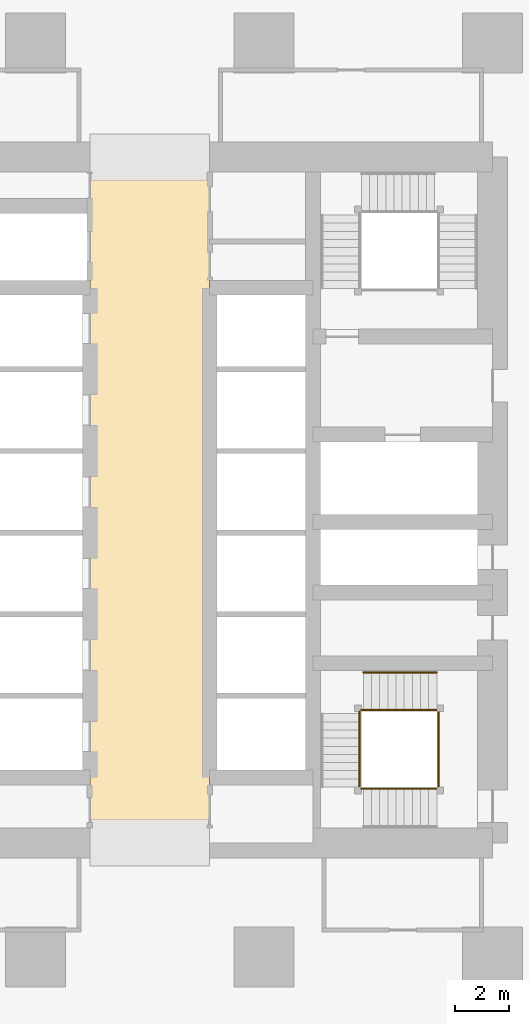
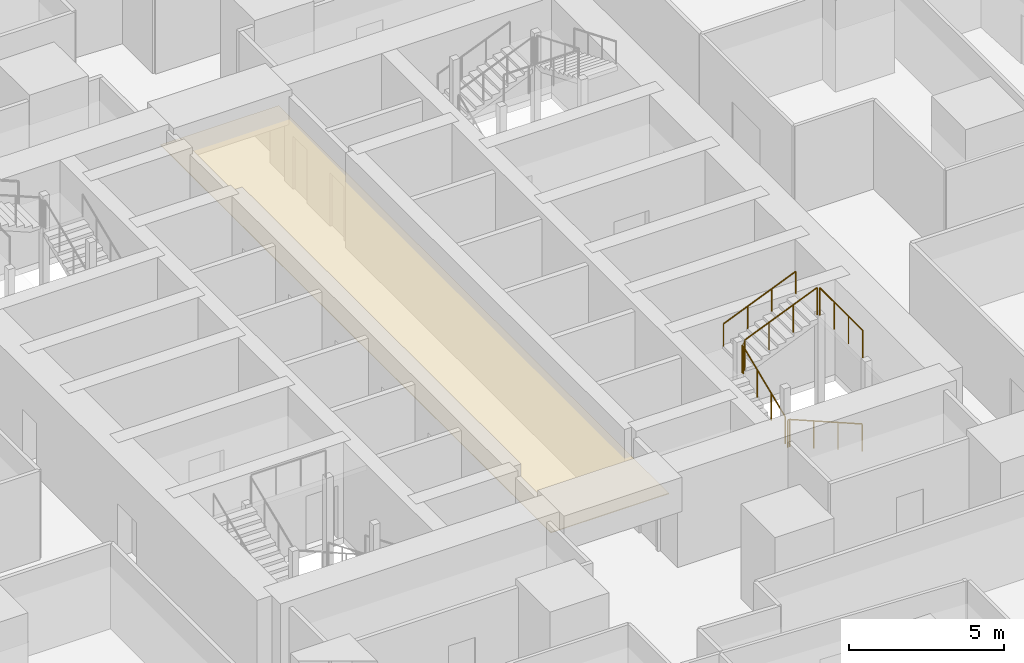
# One storey, part 39 of 44: 8 railings, 1 covering.
"""IFC4 building model written with IfcOpenShell, lengths in metres."""

from ifc_helpers import new_model, si_unit, direction, frame, origin, origin_2d, place, context, subcontext, project, spatial, polyline, circle, outline, extrude, material, layer, layer_set, type_object, element, save


model = new_model("IFC4")

# Units and contexts
model_context = context("Model", 3, precision=1e-05, world=origin(), true_north=direction((0.0, 1.0)))
body_context = subcontext(model_context, "Body", "Model", "MODEL_VIEW")
ifc_project = project(units=[si_unit("LENGTHUNIT", "METRE"), si_unit("AREAUNIT", "SQUARE_METRE"), si_unit("VOLUMEUNIT", "CUBIC_METRE"), si_unit("PLANEANGLEUNIT", "RADIAN"), si_unit("MASSUNIT", "GRAM", prefix="KILO")], contexts=[model_context])

# Site, building, storey
site_placement = place(None, origin())
site = spatial("IfcSite", under=ifc_project, at=site_placement, CompositionType="ELEMENT")
building_placement = place(site_placement, origin())
building = spatial("IfcBuilding", under=site, at=building_placement, Name="Rekha Terrace Tower", CompositionType="ELEMENT")
storey_placement = place(building_placement, frame((0.0, 0.0, 62.89990234375)))
storey = spatial("IfcBuildingStorey", under=building, at=storey_placement, Name="L15", CompositionType="ELEMENT", Elevation=62.89990234375)

# Covering
ifc_material_1 = material(Name="Powder-coated aluminium pan", Category="aluminium")
ifc_layer = layer(ifc_material_1, 0.030029296875)
ifc_layer_set = layer_set([ifc_layer], Name="Powder-coated aluminium pan")
covering_type = type_object("IfcCoveringType", Name="CL3 300x1200 metal pan ceiling", PredefinedType="CEILING", material=ifc_layer_set)
covering_placement = place(storey_placement, frame((0.0, 0.0, 2.570068359375)))
element("IfcCovering", 1, at=covering_placement, inside=storey, type_object=covering_type, Name="Ceiling L15-LOBBY", PredefinedType="CEILING", context=body_context, shape_type="SweptSolid", body=[
    extrude(outline(polyline([(40.0, 46.199951171875), (35.60009765625, 46.199951171875), (35.60009765625, 21.0), (40.0, 21.0), (40.0, 46.199951171875)])), origin(), (0.0, 0.0, 1.0), 0.030029296875),
])

# Railings
ifc_material_2 = material(Name="Stainless steel balustrade", Category="steel")
railing_type_1 = type_object("IfcRailingType", Name="GR1 1100 stair guard", PredefinedType="GUARDRAIL", material=ifc_material_2)
railing_1_placement = place(storey_placement, frame((48.35009765625, 22.989990234375, 0.125)))
element("IfcRailing", 2, at=railing_1_placement, inside=storey, type_object=railing_type_1, Name="Guard ST3 L15 flight 1", PredefinedType="GUARDRAIL", context=body_context, shape_type="SweptSolid", body=[
    extrude(circle(Radius=0.02392578125, at=origin_2d()), frame((0.0, 0.0, 1.076171875), z_axis=(-0.923086799901, 0.0, 0.38459167938), x_axis=(0.0, -1.0, 0.0)), (0.0, 0.0, 1.0), 2.92529296875),
    extrude(circle(Radius=0.02099609375, at=origin_2d()), origin(), (0.0, 0.0, 1.0), 1.052001953125),
    extrude(circle(Radius=0.02099609375, at=origin_2d()), frame((-0.900146484375, 0.0, 0.375)), (0.0, 0.0, 1.0), 1.052001953125),
    extrude(circle(Radius=0.02099609375, at=origin_2d()), frame((-1.800048828125, 0.0, 0.75)), (0.0, 0.0, 1.0), 1.052001953125),
    extrude(circle(Radius=0.02099609375, at=origin_2d()), frame((-2.7001953125, 0.0, 1.125)), (0.0, 0.0, 1.0), 1.052001953125),
])
railing_2_placement = place(storey_placement, frame((45.514892578125, 23.050048828125, 1.375)))
element("IfcRailing", 3, at=railing_2_placement, inside=storey, type_object=railing_type_1, Name="Guard ST3 L15 flight 2", PredefinedType="GUARDRAIL", context=body_context, shape_type="SweptSolid", body=[
    extrude(circle(Radius=0.02392578125, at=origin_2d()), frame((0.0, 0.0, 1.076171875), z_axis=(0.0, 0.923074453586, 0.384621311341), x_axis=(-1.0, 0.0, 0.0)), (0.0, 0.0, 1.0), 2.925048828125),
    extrude(circle(Radius=0.02099609375, at=origin_2d()), origin(), (0.0, 0.0, 1.0), 1.052001953125),
    extrude(circle(Radius=0.02099609375, at=origin_2d()), frame((0.0, 0.89990234375, 0.375)), (0.0, 0.0, 1.0), 1.052001953125),
    extrude(circle(Radius=0.02099609375, at=origin_2d()), frame((0.0, 1.800048828125, 0.75)), (0.0, 0.0, 1.0), 1.052001953125),
    extrude(circle(Radius=0.02099609375, at=origin_2d()), frame((0.0, 2.699951171875, 1.125)), (0.0, 0.0, 1.0), 1.052001953125),
])
railing_3_placement = place(storey_placement, frame((45.64990234375, 25.885009765625, 2.625)))
element("IfcRailing", 4, at=railing_3_placement, inside=storey, type_object=railing_type_1, Name="Guard ST3 L15 flight 3", PredefinedType="GUARDRAIL", context=body_context, shape_type="SweptSolid", body=[
    extrude(circle(Radius=0.02392578125, at=origin_2d()), frame((0.0, 0.0, 1.076171875), z_axis=(0.923086799901, 0.0, 0.38459167938), x_axis=(0.0, 1.0, 0.0)), (0.0, 0.0, 1.0), 2.92529296875),
    extrude(circle(Radius=0.02099609375, at=origin_2d()), origin(), (0.0, 0.0, 1.0), 1.052001953125),
    extrude(circle(Radius=0.02099609375, at=origin_2d()), frame((0.900146484375, 0.0, 0.375)), (0.0, 0.0, 1.0), 1.052001953125),
    extrude(circle(Radius=0.02099609375, at=origin_2d()), frame((1.800048828125, 0.0, 0.75)), (0.0, 0.0, 1.0), 1.052001953125),
    extrude(circle(Radius=0.02099609375, at=origin_2d()), frame((2.7001953125, 0.0, 1.125)), (0.0, 0.0, 1.0), 1.052001953125),
])
railing_4_placement = place(storey_placement, frame((45.64990234375, 22.989990234375, 1.25)))
element("IfcRailing", 5, at=railing_4_placement, inside=storey, type_object=railing_type_1, Name="Guard ST3 L15 landing 1", PredefinedType="GUARDRAIL", context=body_context, shape_type="SweptSolid", body=[
    extrude(circle(Radius=0.02392578125, at=origin_2d()), frame((0.0, 0.0, 1.076171875), z_axis=(-1.0, 0.0, 0.0), x_axis=(0.0, -1.0, 0.0)), (0.0, 0.0, 1.0), 0.074951171875),
    extrude(circle(Radius=0.02099609375, at=origin_2d()), origin(), (0.0, 0.0, 1.0), 1.052001953125),
    extrude(circle(Radius=0.02099609375, at=origin_2d()), frame((-0.074951171875, 0.0, 0.0)), (0.0, 0.0, 1.0), 1.052001953125),
])
railing_5_placement = place(storey_placement, frame((45.514892578125, 25.75, 2.5)))
element("IfcRailing", 6, at=railing_5_placement, inside=storey, type_object=railing_type_1, Name="Guard ST3 L15 landing 2", PredefinedType="GUARDRAIL", context=body_context, shape_type="SweptSolid", body=[
    extrude(circle(Radius=0.02392578125, at=origin_2d()), frame((0.0, 0.0, 1.076171875), z_axis=(0.0, 1.0, 0.0), x_axis=(-1.0, 0.0, 0.0)), (0.0, 0.0, 1.0), 0.074951171875),
    extrude(circle(Radius=0.02099609375, at=origin_2d()), origin(), (0.0, 0.0, 1.0), 1.052001953125),
    extrude(circle(Radius=0.02099609375, at=origin_2d()), frame((0.0, 0.074951171875, 0.0)), (0.0, 0.0, 1.0), 1.052001953125),
])
railing_6_placement = place(storey_placement, frame((45.64990234375, 25.885009765625, 2.5)))
element("IfcRailing", 7, at=railing_6_placement, inside=storey, type_object=railing_type_1, Name="Guard ST3 L15 landing 3", PredefinedType="GUARDRAIL", context=body_context, shape_type="SweptSolid", body=[
    extrude(circle(Radius=0.02392578125, at=origin_2d()), frame((0.0, 0.0, 1.076171875), z_axis=(-1.0, 0.0, 0.0), x_axis=(0.0, -1.0, 0.0)), (0.0, 0.0, 1.0), 0.074951171875),
    extrude(circle(Radius=0.02099609375, at=origin_2d()), origin(), (0.0, 0.0, 1.0), 1.052001953125),
    extrude(circle(Radius=0.02099609375, at=origin_2d()), frame((-0.074951171875, 0.0, 0.0)), (0.0, 0.0, 1.0), 1.052001953125),
])
railing_7_placement = place(storey_placement, frame((48.409912109375, 23.050048828125, 3.75)))
element("IfcRailing", 8, at=railing_7_placement, inside=storey, type_object=railing_type_1, Name="Guard ST3 L15 landing 4", PredefinedType="GUARDRAIL", context=body_context, shape_type="SweptSolid", body=[
    extrude(circle(Radius=0.02392578125, at=origin_2d()), frame((0.0, 0.0, 1.076171875), z_axis=(0.0, 1.0, 0.0), x_axis=(-1.0, 0.0, 0.0)), (0.0, 0.0, 1.0), 2.77490234375),
    extrude(circle(Radius=0.02099609375, at=origin_2d()), origin(), (0.0, 0.0, 1.0), 1.052001953125),
    extrude(circle(Radius=0.02099609375, at=origin_2d()), frame((0.0, 0.925048828125, 0.0)), (0.0, 0.0, 1.0), 1.052001953125),
    extrude(circle(Radius=0.02099609375, at=origin_2d()), frame((0.0, 1.849853515625, 0.0)), (0.0, 0.0, 1.0), 1.052001953125),
    extrude(circle(Radius=0.02099609375, at=origin_2d()), frame((0.0, 2.77490234375, 0.0)), (0.0, 0.0, 1.0), 1.052001953125),
])
ifc_material_3 = material(Name="Stainless steel tube", Category="steel")
railing_type_2 = type_object("IfcRailingType", Name="HR1 900 stair handrail", PredefinedType="HANDRAIL", material=ifc_material_3)
railing_8_placement = place(storey_placement, frame((45.64990234375, 27.264892578125, 2.625)))
element("IfcRailing", 9, at=railing_8_placement, inside=storey, type_object=railing_type_2, Name="Handrail ST3 L15 flight 3", PredefinedType="HANDRAIL", context=body_context, shape_type="SweptSolid", body=[
    extrude(circle(Radius=0.02392578125, at=origin_2d()), frame((0.0, 0.0, 0.8759765625), z_axis=(0.923086799901, 0.0, 0.38459167938), x_axis=(0.0, 1.0, 0.0)), (0.0, 0.0, 1.0), 2.92529296875),
    extrude(circle(Radius=0.02099609375, at=origin_2d()), origin(), (0.0, 0.0, 1.0), 0.851806640625),
    extrude(circle(Radius=0.02099609375, at=origin_2d()), frame((0.900146484375, 0.0, 0.375)), (0.0, 0.0, 1.0), 0.851806640625),
    extrude(circle(Radius=0.02099609375, at=origin_2d()), frame((1.800048828125, 0.0, 0.75)), (0.0, 0.0, 1.0), 0.851806640625),
    extrude(circle(Radius=0.02099609375, at=origin_2d()), frame((2.7001953125, 0.0, 1.125)), (0.0, 0.0, 1.0), 0.851806640625),
])

save(model, "model.ifc")
